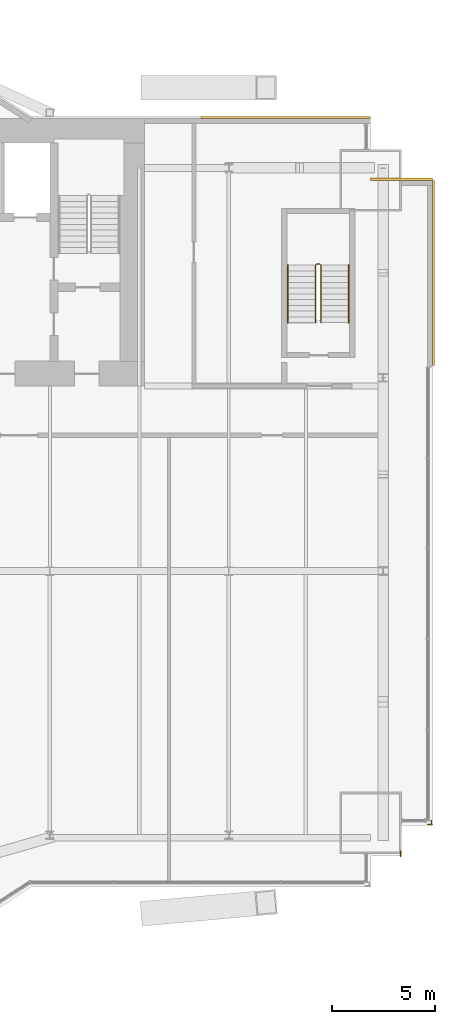
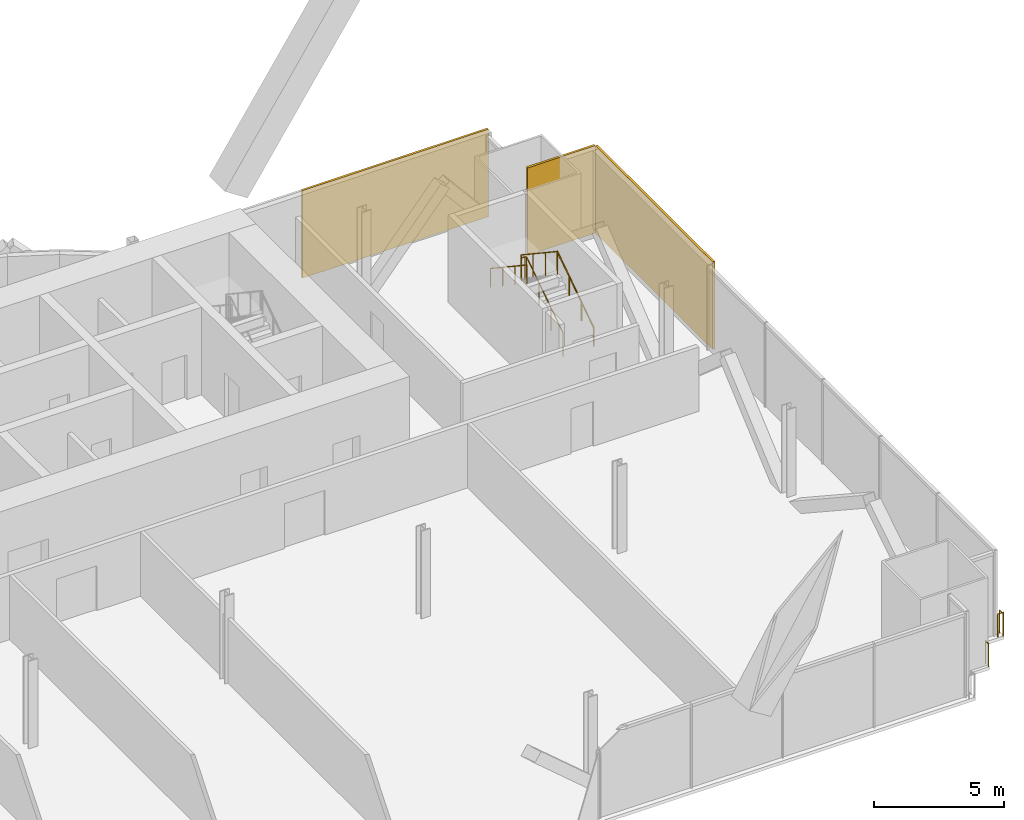
# One storey, part 21 of 21: 5 railings, 3 coverings.
"""IFC4 building model written with IfcOpenShell, lengths in metres."""

from ifc_helpers import new_model, si_unit, direction, frame, origin, origin_2d, place, context, subcontext, project, spatial, rectangle, circle, extrude, material, layer, layer_set, type_object, element, save


model = new_model("IFC4")

# Units and contexts
model_context = context("Model", 3, precision=1e-05, world=origin(), true_north=direction((0.0, 1.0)))
body_context = subcontext(model_context, "Body", "Model", "MODEL_VIEW")
ifc_project = project(units=[si_unit("LENGTHUNIT", "METRE"), si_unit("AREAUNIT", "SQUARE_METRE"), si_unit("VOLUMEUNIT", "CUBIC_METRE"), si_unit("PLANEANGLEUNIT", "RADIAN"), si_unit("MASSUNIT", "GRAM", prefix="KILO")], contexts=[model_context])

# Site, building, storey
site_placement = place(None, origin())
site = spatial("IfcSite", under=ifc_project, at=site_placement, CompositionType="ELEMENT")
building_placement = place(site_placement, origin())
building = spatial("IfcBuilding", under=site, at=building_placement, Name="Bicima Exchange Tower", CompositionType="ELEMENT")
storey_placement = place(building_placement, frame((0.0, 0.0, 118.60009765625)))
storey = spatial("IfcBuildingStorey", under=building, at=storey_placement, Name="L25", CompositionType="ELEMENT", Elevation=118.60009765625)

# Coverings
ifc_material_1 = material(Name="Bronze metal cladding")
ifc_layer_1 = layer(ifc_material_1, 0.004)
ifc_material_2 = material(Name="Ventilated cavity")
ifc_layer_2 = layer(ifc_material_2, 0.06)
ifc_material_3 = material(Name="Galvanised steel rail and mineral wool", Category="steel")
ifc_layer_3 = layer(ifc_material_3, 0.036)
ifc_layer_set = layer_set([ifc_layer_1, ifc_layer_2, ifc_layer_3], Name="Ventilated cavity")
covering_type = type_object("IfcCoveringType", Name="Bronze metal cladding panel 100", PredefinedType="CLADDING", material=ifc_layer_set)
covering_1_placement = place(storey_placement, frame((28.875, 0.050048828125, -0.150146484375), z_axis=(0.0, 0.0, 1.0), x_axis=(-1.0, 0.0, 0.0)))
element("IfcCovering", 1, at=covering_1_placement, inside=storey, type_object=covering_type, Name="Bronze cladding L25 1.1", PredefinedType="CLADDING", context=body_context, shape_type="SweptSolid", body=[
    extrude(rectangle(XDim=8.25, YDim=0.10009765625, at=origin_2d()), origin(), (0.0, 0.0, 1.0), 4.10009765625),
])
covering_2_placement = place(storey_placement, frame((36.050048828125, -7.5, -0.150146484375), z_axis=(0.0, 0.0, 1.0), x_axis=(0.0, 1.0, 0.0)))
element("IfcCovering", 2, at=covering_2_placement, inside=storey, type_object=covering_type, Name="Bronze cladding L25 50.1", PredefinedType="CLADDING", context=body_context, shape_type="SweptSolid", body=[
    extrude(rectangle(XDim=9.0, YDim=0.10009765625, at=origin_2d()), origin(), (0.0, 0.0, 1.0), 4.10009765625),
])
covering_3_placement = place(storey_placement, frame((34.5, -2.949951171875, -0.150146484375), z_axis=(0.0, 0.0, 1.0), x_axis=(-1.0, 0.0, 0.0)))
element("IfcCovering", 3, at=covering_3_placement, inside=storey, type_object=covering_type, Name="Bronze cladding L25 51.1", PredefinedType="CLADDING", context=body_context, shape_type="SweptSolid", body=[
    extrude(rectangle(XDim=3.0, YDim=0.10009765625, at=origin_2d()), origin(), (0.0, 0.0, 1.0), 4.10009765625),
])

# Railings
ifc_material_4 = material(Name="Stainless steel and bonded safety glass", Category="steel")
railing_type_1 = type_object("IfcRailingType", Name="Edge guard 1100", PredefinedType="GUARDRAIL", material=ifc_material_4)
railing_1_placement = place(storey_placement, frame((35.949951171875, -34.114990234375, 0.0)))
element("IfcRailing", 4, at=railing_1_placement, inside=storey, type_object=railing_type_1, Name="Edge guard L25 122", PredefinedType="GUARDRAIL", context=body_context, shape_type="SweptSolid", body=[
    extrude(circle(Radius=0.02392578125, at=origin_2d()), frame((0.0, 0.0, 1.076171875), z_axis=(0.0, -1.0, 0.0), x_axis=(1.0, 0.0, 0.0)), (0.0, 0.0, 1.0), 0.2490234375),
    extrude(circle(Radius=0.02392578125, at=origin_2d()), frame((0.0, -0.2490234375, 1.076171875), z_axis=(0.707106781187, 0.707106781187, 0.0), x_axis=(-0.707106781187, 0.707106781187, 0.0)), (0.0, 0.0, 1.0), 0.07080078125),
    extrude(circle(Radius=0.02392578125, at=origin_2d()), frame((0.050048828125, -0.198974609375, 1.076171875), z_axis=(-1.0, 0.0, 0.0), x_axis=(0.0, -1.0, 0.0)), (0.0, 0.0, 1.0), 0.25),
    extrude(circle(Radius=0.02099609375, at=origin_2d()), origin(), (0.0, 0.0, 1.0), 1.052001953125),
    extrude(circle(Radius=0.02099609375, at=origin_2d()), frame((0.0, -0.2490234375, 0.0)), (0.0, 0.0, 1.0), 1.052001953125),
    extrude(circle(Radius=0.02099609375, at=origin_2d()), frame((0.050048828125, -0.198974609375, 0.0)), (0.0, 0.0, 1.0), 1.052001953125),
    extrude(circle(Radius=0.02099609375, at=origin_2d()), frame((-0.199951171875, -0.198974609375, 0.0)), (0.0, 0.0, 1.0), 1.052001953125),
])
railing_2_placement = place(storey_placement, frame((34.449951171875, -35.614013671875, 0.0)))
element("IfcRailing", 5, at=railing_2_placement, inside=storey, type_object=railing_type_1, Name="Edge guard L25 123", PredefinedType="GUARDRAIL", context=body_context, shape_type="SweptSolid", body=[
    extrude(circle(Radius=0.02392578125, at=origin_2d()), frame((0.0, 0.0, 1.076171875), z_axis=(0.0, -1.0, 0.0), x_axis=(1.0, 0.0, 0.0)), (0.0, 0.0, 1.0), 0.25),
    extrude(circle(Radius=0.02099609375, at=origin_2d()), origin(), (0.0, 0.0, 1.0), 1.052001953125),
    extrude(circle(Radius=0.02099609375, at=origin_2d()), frame((0.0, -0.25, 0.0)), (0.0, 0.0, 1.0), 1.052001953125),
])
ifc_material_5 = material(Name="Stainless steel", Category="steel")
railing_type_2 = type_object("IfcRailingType", Name="Stair guard 1100", PredefinedType="GUARDRAIL", material=ifc_material_5)
railing_3_placement = place(storey_placement, frame((30.574951171875, -9.925048828125, 0.186279296875)))
element("IfcRailing", 6, at=railing_3_placement, inside=storey, type_object=railing_type_2, Name="L25 ST-EE stair guard 1", PredefinedType="GUARDRAIL", context=body_context, shape_type="SweptSolid", body=[
    extrude(circle(Radius=0.02392578125, at=origin_2d()), frame((0.0, 0.0, 1.076171875), z_axis=(0.0, 0.832485552168, 0.554046753832), x_axis=(-1.0, 0.0, 0.0)), (0.0, 0.0, 1.0), 3.363525390625),
    extrude(circle(Radius=0.02392578125, at=origin_2d()), frame((0.0, 2.800048828125, 2.939453125), z_axis=(-0.707106781187, 0.707106781187, 0.0), x_axis=(-0.707106781187, -0.707106781187, 0.0)), (0.0, 0.0, 1.0), 0.07080078125),
    extrude(circle(Radius=0.02392578125, at=origin_2d()), frame((-0.050048828125, 2.85009765625, 2.939453125), z_axis=(-1.0, 0.0, 0.0), x_axis=(0.0, -1.0, 0.0)), (0.0, 0.0, 1.0), 0.14990234375),
    extrude(circle(Radius=0.02392578125, at=origin_2d()), frame((-0.199951171875, 2.85009765625, 2.939453125), z_axis=(-0.250869701741, -0.250869701741, 0.934948546978), x_axis=(0.707106781187, -0.707106781187, 0.0)), (0.0, 0.0, 1.0), 0.199462890625),
    extrude(circle(Radius=0.02392578125, at=origin_2d()), frame((-0.25, 2.800048828125, 3.1259765625), z_axis=(0.0, -0.832485552168, 0.554046753832), x_axis=(1.0, 0.0, 0.0)), (0.0, 0.0, 1.0), 3.363525390625),
    extrude(circle(Radius=0.02099609375, at=origin_2d()), origin(), (0.0, 0.0, 1.0), 1.052001953125),
    extrude(circle(Radius=0.02099609375, at=origin_2d()), frame((0.0, 0.933349609375, 0.62109375)), (0.0, 0.0, 1.0), 1.052001953125),
    extrude(circle(Radius=0.02099609375, at=origin_2d()), frame((0.0, 1.86669921875, 1.242431640625)), (0.0, 0.0, 1.0), 1.052001953125),
    extrude(circle(Radius=0.02099609375, at=origin_2d()), frame((0.0, 2.800048828125, 1.863525390625)), (0.0, 0.0, 1.0), 1.052001953125),
    extrude(circle(Radius=0.02099609375, at=origin_2d()), frame((-0.050048828125, 2.85009765625, 1.863525390625)), (0.0, 0.0, 1.0), 1.052001953125),
    extrude(circle(Radius=0.02099609375, at=origin_2d()), frame((-0.199951171875, 2.85009765625, 1.863525390625)), (0.0, 0.0, 1.0), 1.052001953125),
    extrude(circle(Radius=0.02099609375, at=origin_2d()), frame((-0.25, 2.800048828125, 2.050048828125)), (0.0, 0.0, 1.0), 1.052001953125),
    extrude(circle(Radius=0.02099609375, at=origin_2d()), frame((-0.25, 1.86669921875, 2.671142578125)), (0.0, 0.0, 1.0), 1.052001953125),
    extrude(circle(Radius=0.02099609375, at=origin_2d()), frame((-0.25, 0.933349609375, 3.29248046875)), (0.0, 0.0, 1.0), 1.052001953125),
    extrude(circle(Radius=0.02099609375, at=origin_2d()), frame((-0.25, 0.0, 3.91357421875)), (0.0, 0.0, 1.0), 1.052001953125),
])
railing_type_3 = type_object("IfcRailingType", Name="Stair handrail 900", PredefinedType="HANDRAIL", material=ifc_material_5)
railing_4_placement = place(storey_placement, frame((31.925048828125, -9.925048828125, 0.186279296875)))
element("IfcRailing", 7, at=railing_4_placement, inside=storey, type_object=railing_type_3, Name="L25 ST-EE stair handrail 1", PredefinedType="HANDRAIL", context=body_context, shape_type="SweptSolid", body=[
    extrude(circle(Radius=0.02392578125, at=origin_2d()), frame((0.0, 0.0, 0.8759765625), z_axis=(0.0, 0.832485552168, 0.554046753832), x_axis=(-1.0, 0.0, 0.0)), (0.0, 0.0, 1.0), 3.363525390625),
    extrude(circle(Radius=0.02099609375, at=origin_2d()), origin(), (0.0, 0.0, 1.0), 0.851806640625),
    extrude(circle(Radius=0.02099609375, at=origin_2d()), frame((0.0, 0.933349609375, 0.62109375)), (0.0, 0.0, 1.0), 0.851806640625),
    extrude(circle(Radius=0.02099609375, at=origin_2d()), frame((0.0, 1.86669921875, 1.242431640625)), (0.0, 0.0, 1.0), 0.851806640625),
    extrude(circle(Radius=0.02099609375, at=origin_2d()), frame((0.0, 2.800048828125, 1.863525390625)), (0.0, 0.0, 1.0), 0.851806640625),
])
railing_5_placement = place(storey_placement, frame((28.97509765625, -7.125, 2.276611328125)))
element("IfcRailing", 8, at=railing_5_placement, inside=storey, type_object=railing_type_3, Name="L25 ST-EE stair handrail 2", PredefinedType="HANDRAIL", context=body_context, shape_type="SweptSolid", body=[
    extrude(circle(Radius=0.02392578125, at=origin_2d()), frame((0.0, 0.0, 0.8759765625), z_axis=(0.0, -0.832452072856, 0.554097055034), x_axis=(1.0, 0.0, 0.0)), (0.0, 0.0, 1.0), 3.363525390625),
    extrude(circle(Radius=0.02099609375, at=origin_2d()), origin(), (0.0, 0.0, 1.0), 0.851806640625),
    extrude(circle(Radius=0.02099609375, at=origin_2d()), frame((0.0, -0.933349609375, 0.621337890625)), (0.0, 0.0, 1.0), 0.851806640625),
    extrude(circle(Radius=0.02099609375, at=origin_2d()), frame((0.0, -1.86669921875, 1.242431640625)), (0.0, 0.0, 1.0), 0.851806640625),
    extrude(circle(Radius=0.02099609375, at=origin_2d()), frame((0.0, -2.800048828125, 1.86376953125)), (0.0, 0.0, 1.0), 0.851806640625),
])

save(model, "model.ifc")
